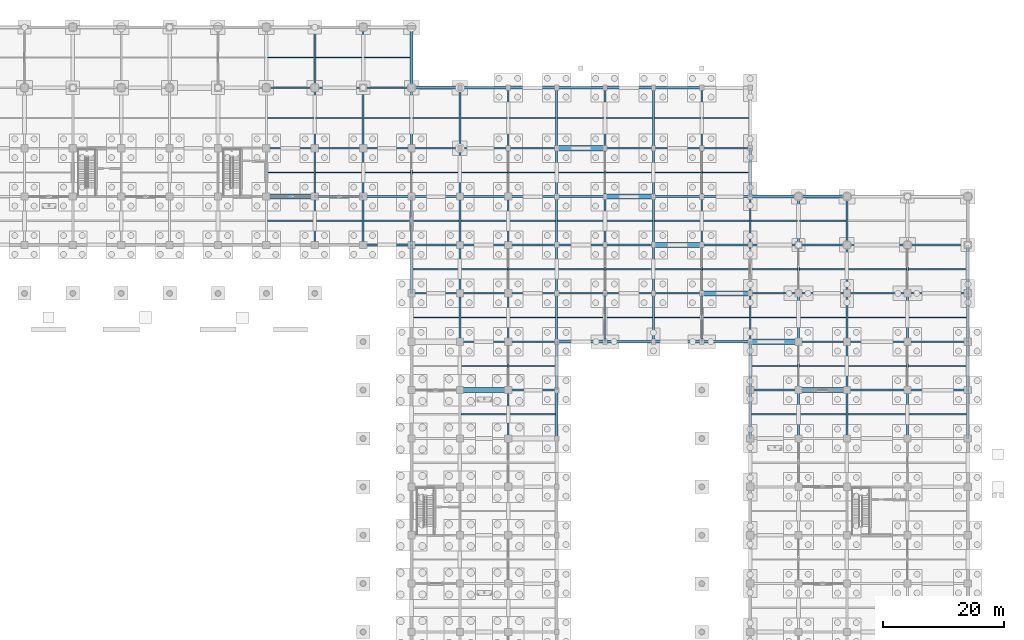
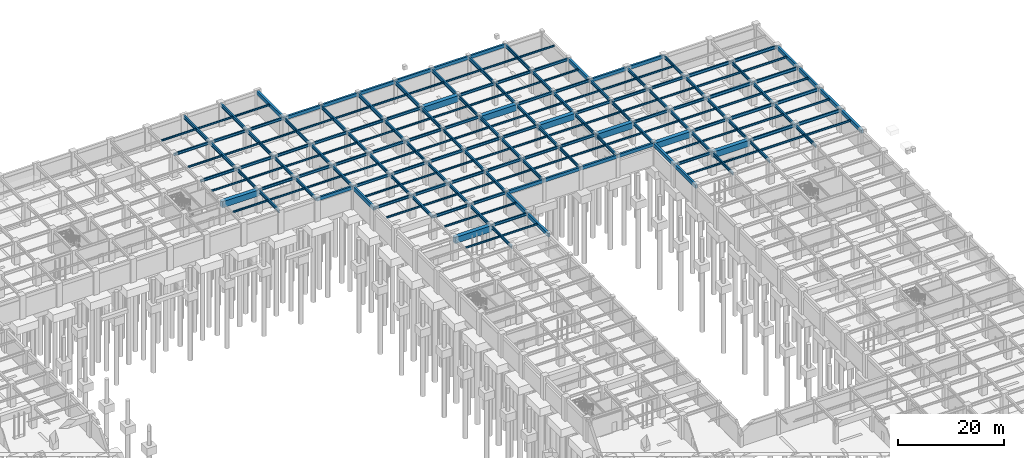
# One storey, part 64 of 97: 210 beams.
"""IFC4 building model written with IfcOpenShell, lengths in metres."""

from ifc_helpers import new_model, si_unit, direction, frame, origin, origin_2d, place, context, subcontext, project, spatial, rectangle, i_section, extrude, material, material_profile, profile_set, type_object, element, save


model = new_model("IFC4")

# Units and contexts
model_context = context("Model", 3, precision=1e-05, world=origin(), true_north=direction((0.0, 1.0)))
body_context = subcontext(model_context, "Body", "Model", "MODEL_VIEW")
ifc_project = project(units=[si_unit("LENGTHUNIT", "METRE"), si_unit("AREAUNIT", "SQUARE_METRE"), si_unit("VOLUMEUNIT", "CUBIC_METRE"), si_unit("PLANEANGLEUNIT", "RADIAN"), si_unit("MASSUNIT", "GRAM", prefix="KILO")], contexts=[model_context])

# Site, building, storey
site_placement = place(None, origin())
site = spatial("IfcSite", under=ifc_project, at=site_placement, CompositionType="ELEMENT")
building_placement = place(site_placement, origin())
building = spatial("IfcBuilding", under=site, at=building_placement, Name="Haebicheon Civic Stadium", CompositionType="ELEMENT")
storey_placement = place(building_placement, frame((0.0, 0.0, -5.39990234375)))
storey = spatial("IfcBuildingStorey", under=building, at=storey_placement, Name="B1", CompositionType="ELEMENT", Elevation=-5.39990234375)

# Beams
ifc_material_1 = material(Name="Steel SM355 (S355)", Category="steel")
ifc_material_profile_1 = material_profile(ifc_material_1, i_section(OverallWidth=0.300048828125, OverallDepth=0.60009765625, WebThickness=0.011962890625, FlangeThickness=0.02001953125, at=origin_2d()), Name="H-600x300x12x20")
ifc_profile_set_1 = profile_set([ifc_material_profile_1], Name="Steel SM355 (S355)")
beam_type_1 = type_object("IfcBeamType", Name="BM-ST-H600A", PredefinedType="BEAM", material=ifc_profile_set_1)
for number, where, z_axis, x_axis, name in (
    (1, (120.0, 168.0, 4.7998046875), (1.0, 0.0, 0.0), (0.0, 1.0, 0.0), "B1 beam X/16-17"),
    (2, (120.0, 178.0, 4.7998046875), (1.0, 0.0, 0.0), (0.0, 1.0, 0.0), "B1 beam Y/16-17"),
    (3, (128.0, 160.0, 4.7998046875), (1.0, 0.0, 0.0), (0.0, 1.0, 0.0), "B1 beam W/17-18"),
    (4, (128.0, 168.0, 4.7998046875), (1.0, 0.0, 0.0), (0.0, 1.0, 0.0), "B1 beam X/17-18"),
    (5, (128.0, 178.0, 4.7998046875), (1.0, 0.0, 0.0), (0.0, 1.0, 0.0), "B1 beam Y/17-18"),
    (6, (136.0, 160.0, 4.7998046875), (1.0, 0.0, 0.0), (0.0, 1.0, 0.0), "B1 beam W/18-19"),
    (7, (136.0, 168.0, 4.7998046875), (1.0, 0.0, 0.0), (0.0, 1.0, 0.0), "B1 beam X/18-19"),
    (8, (136.0, 178.0, 4.7998046875), (1.0, 0.0, 0.0), (0.0, 1.0, 0.0), "B1 beam Y/18-19"),
    (9, (144.0, 144.0, 4.7998046875), (1.0, 0.0, 0.0), (0.0, 1.0, 0.0), "B1 beam U/19-20"),
    (10, (144.0, 152.0, 4.7998046875), (1.0, 0.0, 0.0), (0.0, 1.0, 0.0), "B1 beam V/19-20"),
    (11, (144.0, 160.0, 4.7998046875), (1.0, 0.0, 0.0), (0.0, 1.0, 0.0), "B1 beam W/19-20"),
    (12, (144.0, 168.0, 4.7998046875), (1.0, 0.0, 0.0), (0.0, 1.0, 0.0), "B1 beam X/19-20"),
    (13, (152.0, 136.0, 4.7998046875), (1.0, 0.0, 0.0), (0.0, 1.0, 0.0), "B1 beam T/20-21"),
    (14, (152.0, 144.0, 4.7998046875), (1.0, 0.0, 0.0), (0.0, 1.0, 0.0), "B1 beam U/20-21"),
    (15, (152.0, 152.0, 4.7998046875), (1.0, 0.0, 0.0), (0.0, 1.0, 0.0), "B1 beam V/20-21"),
    (16, (152.0, 160.0, 4.7998046875), (1.0, 0.0, 0.0), (0.0, 1.0, 0.0), "B1 beam W/20-21"),
    (17, (152.0, 168.0, 4.7998046875), (1.0, 0.0, 0.0), (0.0, 1.0, 0.0), "B1 beam X/20-21"),
    (18, (160.0, 128.0, 4.7998046875), (1.0, 0.0, 0.0), (0.0, 1.0, 0.0), "B1 beam S/21-22"),
    (19, (160.0, 136.0, 4.7998046875), (1.0, 0.0, 0.0), (0.0, 1.0, 0.0), "B1 beam T/21-22"),
    (20, (160.0, 144.0, 4.7998046875), (1.0, 0.0, 0.0), (0.0, 1.0, 0.0), "B1 beam U/21-22"),
    (21, (160.0, 152.0, 4.7998046875), (1.0, 0.0, 0.0), (0.0, 1.0, 0.0), "B1 beam V/21-22"),
    (22, (160.0, 160.0, 4.7998046875), (1.0, 0.0, 0.0), (0.0, 1.0, 0.0), "B1 beam W/21-22"),
    (23, (160.0, 168.0, 4.7998046875), (1.0, 0.0, 0.0), (0.0, 1.0, 0.0), "B1 beam X/21-22"),
    (24, (168.0, 144.0, 4.7998046875), (1.0, 0.0, 0.0), (0.0, 1.0, 0.0), "B1 beam U/22-23"),
    (25, (168.0, 152.0, 4.7998046875), (1.0, 0.0, 0.0), (0.0, 1.0, 0.0), "B1 beam V/22-23"),
    (26, (168.0, 160.0, 4.7998046875), (1.0, 0.0, 0.0), (0.0, 1.0, 0.0), "B1 beam W/22-23"),
    (27, (176.0, 144.0, 4.7998046875), (1.0, 0.0, 0.0), (0.0, 1.0, 0.0), "B1 beam U/23-24"),
    (28, (176.0, 152.0, 4.7998046875), (1.0, 0.0, 0.0), (0.0, 1.0, 0.0), "B1 beam V/23-24"),
    (29, (176.0, 168.0, 4.7998046875), (1.0, 0.0, 0.0), (0.0, 1.0, 0.0), "B1 beam X/23-24"),
    (30, (184.0, 144.0, 4.7998046875), (1.0, 0.0, 0.0), (0.0, 1.0, 0.0), "B1 beam U/24-25"),
    (31, (184.0, 160.0, 4.7998046875), (1.0, 0.0, 0.0), (0.0, 1.0, 0.0), "B1 beam W/24-25"),
    (32, (184.0, 168.0, 4.7998046875), (1.0, 0.0, 0.0), (0.0, 1.0, 0.0), "B1 beam X/24-25"),
    (33, (192.0, 152.0, 4.7998046875), (1.0, 0.0, 0.0), (0.0, 1.0, 0.0), "B1 beam V/25-26"),
    (34, (192.0, 160.0, 4.7998046875), (1.0, 0.0, 0.0), (0.0, 1.0, 0.0), "B1 beam W/25-26"),
    (35, (192.0, 168.0, 4.7998046875), (1.0, 0.0, 0.0), (0.0, 1.0, 0.0), "B1 beam X/25-26"),
    (36, (200.0, 128.0, 4.7998046875), (1.0, 0.0, 0.0), (0.0, 1.0, 0.0), "B1 beam S/26-27"),
    (37, (200.0, 144.0, 4.7998046875), (1.0, 0.0, 0.0), (0.0, 1.0, 0.0), "B1 beam U/26-27"),
    (38, (200.0, 152.0, 4.7998046875), (1.0, 0.0, 0.0), (0.0, 1.0, 0.0), "B1 beam V/26-27"),
    (39, (208.0, 136.0, 4.7998046875), (1.0, 0.0, 0.0), (0.0, 1.0, 0.0), "B1 beam T/27-28"),
    (40, (208.0, 144.0, 4.7998046875), (1.0, 0.0, 0.0), (0.0, 1.0, 0.0), "B1 beam U/27-28"),
    (41, (208.0, 152.0, 4.7998046875), (1.0, 0.0, 0.0), (0.0, 1.0, 0.0), "B1 beam V/27-28"),
):
    element("IfcBeam", number, at=place(storey_placement, frame(where, z_axis=z_axis, x_axis=x_axis)), inside=storey, type_object=beam_type_1, material=ifc_profile_set_1, Name=name, PredefinedType="BEAM", context=body_context, shape_type="SweptSolid", body=[
        extrude(i_section(OverallWidth=0.300048828125, OverallDepth=0.60009765625, WebThickness=0.011962890625, FlangeThickness=0.02001953125, at=origin_2d()), origin(), (0.0, 0.0, 1.0), 8.0),
    ])
ifc_material_2 = material(Name="Steel SM490", Category="steel")
ifc_material_profile_2 = material_profile(ifc_material_2, i_section(OverallWidth=0.300048828125, OverallDepth=0.699951171875, WebThickness=0.012939453125, FlangeThickness=0.02392578125, at=origin_2d()), Name="H-700x300x13x24")
ifc_profile_set_2 = profile_set([ifc_material_profile_2], Name="Steel SM490")
beam_type_2 = type_object("IfcBeamType", Name="BM-ST-H700", PredefinedType="BEAM", material=ifc_profile_set_2)
for number, where, z_axis, x_axis, name in (
    (42, (128.0, 152.0, 4.75), (0.0, 1.0, 0.0), (-1.0, 0.0, 0.0), "B1 girder 17/V-W"),
    (43, (128.0, 160.0, 4.75), (0.0, 1.0, 0.0), (-1.0, 0.0, 0.0), "B1 girder 17/W-X"),
    (44, (136.0, 152.0, 4.75), (0.0, 1.0, 0.0), (-1.0, 0.0, 0.0), "B1 girder 18/V-W"),
    (45, (136.0, 160.0, 4.75), (0.0, 1.0, 0.0), (-1.0, 0.0, 0.0), "B1 girder 18/W-X"),
    (46, (144.0, 152.0, 4.75), (0.0, 1.0, 0.0), (-1.0, 0.0, 0.0), "B1 girder 19/V-W"),
    (47, (144.0, 160.0, 4.75), (0.0, 1.0, 0.0), (-1.0, 0.0, 0.0), "B1 girder 19/W-X"),
    (48, (152.0, 136.0, 4.75), (0.0, 1.0, 0.0), (-1.0, 0.0, 0.0), "B1 girder 20/T-U"),
    (49, (152.0, 144.0, 4.75), (0.0, 1.0, 0.0), (-1.0, 0.0, 0.0), "B1 girder 20/U-V"),
    (50, (152.0, 152.0, 4.75), (0.0, 1.0, 0.0), (-1.0, 0.0, 0.0), "B1 girder 20/V-W"),
    (51, (152.0, 160.0, 4.75), (0.0, 1.0, 0.0), (-1.0, 0.0, 0.0), "B1 girder 20/W-X"),
    (52, (160.0, 120.0, 4.75), (0.0, 1.0, 0.0), (-1.0, 0.0, 0.0), "B1 girder 21/R-S"),
    (53, (160.0, 128.0, 4.75), (0.0, 1.0, 0.0), (-1.0, 0.0, 0.0), "B1 girder 21/S-T"),
    (54, (160.0, 136.0, 4.75), (0.0, 1.0, 0.0), (-1.0, 0.0, 0.0), "B1 girder 21/T-U"),
    (55, (160.0, 144.0, 4.75), (0.0, 1.0, 0.0), (-1.0, 0.0, 0.0), "B1 girder 21/U-V"),
    (56, (160.0, 152.0, 4.75), (0.0, 1.0, 0.0), (-1.0, 0.0, 0.0), "B1 girder 21/V-W"),
    (57, (160.0, 160.0, 4.75), (0.0, 1.0, 0.0), (-1.0, 0.0, 0.0), "B1 girder 21/W-X"),
    (58, (168.0, 136.0, 4.75), (0.0, 1.0, 0.0), (-1.0, 0.0, 0.0), "B1 girder 22/T-U"),
    (59, (168.0, 144.0, 4.75), (0.0, 1.0, 0.0), (-1.0, 0.0, 0.0), "B1 girder 22/U-V"),
    (60, (168.0, 152.0, 4.75), (0.0, 1.0, 0.0), (-1.0, 0.0, 0.0), "B1 girder 22/V-W"),
    (61, (168.0, 160.0, 4.75), (0.0, 1.0, 0.0), (-1.0, 0.0, 0.0), "B1 girder 22/W-X"),
    (62, (176.0, 136.0, 4.75), (0.0, 1.0, 0.0), (-1.0, 0.0, 0.0), "B1 girder 23/T-U"),
    (63, (176.0, 144.0, 4.75), (0.0, 1.0, 0.0), (-1.0, 0.0, 0.0), "B1 girder 23/U-V"),
    (64, (176.0, 152.0, 4.75), (0.0, 1.0, 0.0), (-1.0, 0.0, 0.0), "B1 girder 23/V-W"),
    (65, (176.0, 160.0, 4.75), (0.0, 1.0, 0.0), (-1.0, 0.0, 0.0), "B1 girder 23/W-X"),
    (66, (184.0, 136.0, 4.75), (0.0, 1.0, 0.0), (-1.0, 0.0, 0.0), "B1 girder 24/T-U"),
    (67, (184.0, 144.0, 4.75), (0.0, 1.0, 0.0), (-1.0, 0.0, 0.0), "B1 girder 24/U-V"),
    (68, (184.0, 152.0, 4.75), (0.0, 1.0, 0.0), (-1.0, 0.0, 0.0), "B1 girder 24/V-W"),
    (69, (184.0, 160.0, 4.75), (0.0, 1.0, 0.0), (-1.0, 0.0, 0.0), "B1 girder 24/W-X"),
    (70, (192.0, 136.0, 4.75), (0.0, 1.0, 0.0), (-1.0, 0.0, 0.0), "B1 girder 25/T-U"),
    (71, (192.0, 144.0, 4.75), (0.0, 1.0, 0.0), (-1.0, 0.0, 0.0), "B1 girder 25/U-V"),
    (72, (192.0, 152.0, 4.75), (0.0, 1.0, 0.0), (-1.0, 0.0, 0.0), "B1 girder 25/V-W"),
    (73, (192.0, 160.0, 4.75), (0.0, 1.0, 0.0), (-1.0, 0.0, 0.0), "B1 girder 25/W-X"),
    (74, (200.0, 136.0, 4.75), (0.0, 1.0, 0.0), (-1.0, 0.0, 0.0), "B1 girder 26/T-U"),
    (75, (200.0, 144.0, 4.75), (0.0, 1.0, 0.0), (-1.0, 0.0, 0.0), "B1 girder 26/U-V"),
    (76, (200.0, 152.0, 4.75), (0.0, 1.0, 0.0), (-1.0, 0.0, 0.0), "B1 girder 26/V-W"),
    (77, (208.0, 120.0, 4.75), (0.0, 1.0, 0.0), (-1.0, 0.0, 0.0), "B1 girder 27/R-S"),
    (78, (208.0, 128.0, 4.75), (0.0, 1.0, 0.0), (-1.0, 0.0, 0.0), "B1 girder 27/S-T"),
    (79, (208.0, 136.0, 4.75), (0.0, 1.0, 0.0), (-1.0, 0.0, 0.0), "B1 girder 27/T-U"),
    (80, (208.0, 144.0, 4.75), (0.0, 1.0, 0.0), (-1.0, 0.0, 0.0), "B1 girder 27/U-V"),
    (81, (208.0, 152.0, 4.75), (0.0, 1.0, 0.0), (-1.0, 0.0, 0.0), "B1 girder 27/V-W"),
    (82, (216.0, 120.0, 4.75), (0.0, 1.0, 0.0), (-1.0, 0.0, 0.0), "B1 girder 28/R-S"),
    (83, (216.0, 128.0, 4.75), (0.0, 1.0, 0.0), (-1.0, 0.0, 0.0), "B1 girder 28/S-T"),
    (84, (216.0, 136.0, 4.75), (0.0, 1.0, 0.0), (-1.0, 0.0, 0.0), "B1 girder 28/T-U"),
    (85, (216.0, 144.0, 4.75), (0.0, 1.0, 0.0), (-1.0, 0.0, 0.0), "B1 girder 28/U-V"),
    (86, (216.0, 152.0, 4.75), (0.0, 1.0, 0.0), (-1.0, 0.0, 0.0), "B1 girder 28/V-W"),
    (87, (226.0, 120.0, 4.75), (0.0, 1.0, 0.0), (-1.0, 0.0, 0.0), "B1 girder 29/R-S"),
    (88, (226.0, 128.0, 4.75), (0.0, 1.0, 0.0), (-1.0, 0.0, 0.0), "B1 girder 29/S-T"),
    (89, (226.0, 136.0, 4.75), (0.0, 1.0, 0.0), (-1.0, 0.0, 0.0), "B1 girder 29/T-U"),
    (90, (226.0, 144.0, 4.75), (0.0, 1.0, 0.0), (-1.0, 0.0, 0.0), "B1 girder 29/U-V"),
):
    element("IfcBeam", number, at=place(storey_placement, frame(where, z_axis=z_axis, x_axis=x_axis)), inside=storey, type_object=beam_type_2, material=ifc_profile_set_2, Name=name, PredefinedType="BEAM", context=body_context, shape_type="SweptSolid", body=[
        extrude(i_section(OverallWidth=0.300048828125, OverallDepth=0.699951171875, WebThickness=0.012939453125, FlangeThickness=0.02392578125, at=origin_2d()), origin(), (0.0, 0.0, 1.0), 8.0),
    ])
for number, where, z_axis, x_axis, name in (
    (91, (216.0, 128.0, 4.75), (1.0, 0.0, 0.0), (0.0, 1.0, 0.0), "B1 beam S/28-29"),
    (92, (216.0, 136.0, 4.75), (1.0, 0.0, 0.0), (0.0, 1.0, 0.0), "B1 beam T/28-29"),
    (93, (216.0, 144.0, 4.75), (1.0, 0.0, 0.0), (0.0, 1.0, 0.0), "B1 beam U/28-29"),
    (94, (216.0, 152.0, 4.75), (1.0, 0.0, 0.0), (0.0, 1.0, 0.0), "B1 beam V/28-29"),
    (95, (226.0, 128.0, 4.75), (1.0, 0.0, 0.0), (0.0, 1.0, 0.0), "B1 beam S/29-30"),
    (96, (226.0, 136.0, 4.75), (1.0, 0.0, 0.0), (0.0, 1.0, 0.0), "B1 beam T/29-30"),
    (97, (226.0, 144.0, 4.75), (1.0, 0.0, 0.0), (0.0, 1.0, 0.0), "B1 beam U/29-30"),
    (98, (226.0, 152.0, 4.75), (1.0, 0.0, 0.0), (0.0, 1.0, 0.0), "B1 beam V/29-30"),
):
    element("IfcBeam", number, at=place(storey_placement, frame(where, z_axis=z_axis, x_axis=x_axis)), inside=storey, type_object=beam_type_2, material=ifc_profile_set_2, Name=name, PredefinedType="BEAM", context=body_context, shape_type="SweptSolid", body=[
        extrude(i_section(OverallWidth=0.300048828125, OverallDepth=0.699951171875, WebThickness=0.012939453125, FlangeThickness=0.02392578125, at=origin_2d()), origin(), (0.0, 0.0, 1.0), 10.0),
    ])
ifc_material_3 = material(Name="Steel SM490", Category="steel")
ifc_material_profile_3 = material_profile(ifc_material_3, i_section(OverallWidth=0.300048828125, OverallDepth=0.800048828125, WebThickness=0.013916015625, FlangeThickness=0.02587890625, at=origin_2d()), Name="H-800x300x14x26")
ifc_profile_set_3 = profile_set([ifc_material_profile_3], Name="Steel SM490")
beam_type_3 = type_object("IfcBeamType", Name="BM-ST-H800", PredefinedType="BEAM", material=ifc_profile_set_3)
for number, where, z_axis, x_axis, name in (
    (99, (128.0, 168.0, 4.699951171875), (0.0, 1.0, 0.0), (-1.0, 0.0, 0.0), "B1 girder 17/X-Y"),
    (100, (128.0, 178.0, 4.699951171875), (0.0, 1.0, 0.0), (-1.0, 0.0, 0.0), "B1 girder 17/Y-Z"),
    (101, (136.0, 168.0, 4.699951171875), (0.0, 1.0, 0.0), (-1.0, 0.0, 0.0), "B1 girder 18/X-Y"),
    (102, (136.0, 178.0, 4.699951171875), (0.0, 1.0, 0.0), (-1.0, 0.0, 0.0), "B1 girder 18/Y-Z"),
    (103, (144.0, 168.0, 4.699951171875), (0.0, 1.0, 0.0), (-1.0, 0.0, 0.0), "B1 girder 19/X-Y"),
    (104, (152.0, 168.0, 4.699951171875), (0.0, 1.0, 0.0), (-1.0, 0.0, 0.0), "B1 girder 20/X-Y"),
    (105, (160.0, 168.0, 4.699951171875), (0.0, 1.0, 0.0), (-1.0, 0.0, 0.0), "B1 girder 21/X-Y"),
    (106, (168.0, 168.0, 4.699951171875), (0.0, 1.0, 0.0), (-1.0, 0.0, 0.0), "B1 girder 22/X-Y"),
    (107, (176.0, 168.0, 4.699951171875), (0.0, 1.0, 0.0), (-1.0, 0.0, 0.0), "B1 girder 23/X-Y"),
    (108, (184.0, 168.0, 4.699951171875), (0.0, 1.0, 0.0), (-1.0, 0.0, 0.0), "B1 girder 24/X-Y"),
    (109, (192.0, 168.0, 4.699951171875), (0.0, 1.0, 0.0), (-1.0, 0.0, 0.0), "B1 girder 25/X-Y"),
):
    element("IfcBeam", number, at=place(storey_placement, frame(where, z_axis=z_axis, x_axis=x_axis)), inside=storey, type_object=beam_type_3, material=ifc_profile_set_3, Name=name, PredefinedType="BEAM", context=body_context, shape_type="SweptSolid", body=[
        extrude(i_section(OverallWidth=0.300048828125, OverallDepth=0.800048828125, WebThickness=0.013916015625, FlangeThickness=0.02587890625, at=origin_2d()), origin(), (0.0, 0.0, 1.0), 10.0),
    ])
ifc_material_4 = material(Name="Concrete C40/50", Category="concrete")
ifc_material_profile_4 = material_profile(ifc_material_4, rectangle(XDim=0.85009765625, YDim=1.39990234375, at=origin_2d()), Name="RC-TG-850x1400")
ifc_profile_set_4 = profile_set([ifc_material_profile_4], Name="Concrete C40/50")
beam_type_4 = type_object("IfcBeamType", Name="BM-TG-850x1400", PredefinedType="BEAM", material=ifc_profile_set_4)
for number, where, z_axis, x_axis, name in (
    (110, (120.0, 160.0, 4.39990234375), (1.0, 0.0, 0.0), (0.0, 1.0, 0.0), "B1 beam W/16-17"),
    (111, (152.0, 128.0, 4.39990234375), (1.0, 0.0, 0.0), (0.0, 1.0, 0.0), "B1 beam S/20-21"),
    (112, (168.0, 168.0, 4.39990234375), (1.0, 0.0, 0.0), (0.0, 1.0, 0.0), "B1 beam X/22-23"),
    (113, (176.0, 160.0, 4.39990234375), (1.0, 0.0, 0.0), (0.0, 1.0, 0.0), "B1 beam W/23-24"),
    (114, (184.0, 152.0, 4.39990234375), (1.0, 0.0, 0.0), (0.0, 1.0, 0.0), "B1 beam V/24-25"),
    (115, (192.0, 144.0, 4.39990234375), (1.0, 0.0, 0.0), (0.0, 1.0, 0.0), "B1 beam U/25-26"),
    (116, (200.0, 136.0, 4.39990234375), (1.0, 0.0, 0.0), (0.0, 1.0, 0.0), "B1 beam T/26-27"),
    (117, (208.0, 128.0, 4.39990234375), (1.0, 0.0, 0.0), (0.0, 1.0, 0.0), "B1 beam S/27-28"),
):
    element("IfcBeam", number, at=place(storey_placement, frame(where, z_axis=z_axis, x_axis=x_axis)), inside=storey, type_object=beam_type_4, material=ifc_profile_set_4, Name=name, PredefinedType="BEAM", context=body_context, shape_type="SweptSolid", body=[
        extrude(rectangle(XDim=0.85009765625, YDim=1.39990234375, at=origin_2d()), origin(), (0.0, 0.0, 1.0), 8.0),
    ])
ifc_material_5 = material(Name="Steel SM355 (S355)", Category="steel")
ifc_material_profile_5 = material_profile(ifc_material_5, i_section(OverallWidth=0.199951171875, OverallDepth=0.39990234375, WebThickness=0.008056640625, FlangeThickness=0.012939453125, at=origin_2d()), Name="H-400x200x8x13")
ifc_profile_set_5 = profile_set([ifc_material_profile_5], Name="Steel SM355 (S355)")
beam_type_5 = type_object("IfcBeamType", Name="JST-ST-H400", PredefinedType="JOIST", material=ifc_profile_set_5)
for number, where, z_axis, x_axis, name in (
    (118, (120.14990234375, 156.0, 4.89990234375), (1.0, 0.0, 0.0), (0.0, 1.0, 0.0), "B1 secondary joist 15-19"),
    (119, (120.14990234375, 164.0, 4.89990234375), (1.0, 0.0, 0.0), (0.0, 1.0, 0.0), "B1 secondary joist 15-20"),
    (120, (120.14990234375, 173.0, 4.89990234375), (1.0, 0.0, 0.0), (0.0, 1.0, 0.0), "B1 secondary joist 15-21"),
    (121, (120.14990234375, 183.0, 4.89990234375), (1.0, 0.0, 0.0), (0.0, 1.0, 0.0), "B1 secondary joist 15-22"),
    (122, (128.14990234375, 156.0, 4.89990234375), (1.0, 0.0, 0.0), (0.0, 1.0, 0.0), "B1 secondary joist 16-19"),
    (123, (128.14990234375, 164.0, 4.89990234375), (1.0, 0.0, 0.0), (0.0, 1.0, 0.0), "B1 secondary joist 16-20"),
    (124, (128.14990234375, 173.0, 4.89990234375), (1.0, 0.0, 0.0), (0.0, 1.0, 0.0), "B1 secondary joist 16-21"),
    (125, (128.14990234375, 183.0, 4.89990234375), (1.0, 0.0, 0.0), (0.0, 1.0, 0.0), "B1 secondary joist 16-22"),
    (126, (136.14990234375, 156.0, 4.89990234375), (1.0, 0.0, 0.0), (0.0, 1.0, 0.0), "B1 secondary joist 17-19"),
    (127, (136.14990234375, 164.0, 4.89990234375), (1.0, 0.0, 0.0), (0.0, 1.0, 0.0), "B1 secondary joist 17-20"),
    (128, (136.14990234375, 173.0, 4.89990234375), (1.0, 0.0, 0.0), (0.0, 1.0, 0.0), "B1 secondary joist 17-21"),
):
    element("IfcBeam", number, at=place(storey_placement, frame(where, z_axis=z_axis, x_axis=x_axis)), inside=storey, type_object=beam_type_5, material=ifc_profile_set_5, Name=name, PredefinedType="JOIST", context=body_context, shape_type="SweptSolid", body=[
        extrude(i_section(OverallWidth=0.199951171875, OverallDepth=0.39990234375, WebThickness=0.008056640625, FlangeThickness=0.012939453125, at=origin_2d()), origin(), (0.0, 0.0, 1.0), 7.7001953125),
    ])
for number, where, z_axis, x_axis, name in (
    (129, (136.14990234375, 183.0, 4.89990234375), (1.0, 0.0, 0.0), (0.0, 1.0, 0.0), "B1 secondary joist 17-22"),
    (130, (144.22509765625, 140.0, 4.89990234375), (1.0, 0.0, 0.0), (0.0, 1.0, 0.0), "B1 secondary joist 18-17"),
    (131, (144.22509765625, 148.0, 4.89990234375), (1.0, 0.0, 0.0), (0.0, 1.0, 0.0), "B1 secondary joist 18-18"),
):
    element("IfcBeam", number, at=place(storey_placement, frame(where, z_axis=z_axis, x_axis=x_axis)), inside=storey, type_object=beam_type_5, material=ifc_profile_set_5, Name=name, PredefinedType="JOIST", context=body_context, shape_type="SweptSolid", body=[
        extrude(i_section(OverallWidth=0.199951171875, OverallDepth=0.39990234375, WebThickness=0.008056640625, FlangeThickness=0.012939453125, at=origin_2d()), origin(), (0.0, 0.0, 1.0), 7.625),
    ])
for number, where, z_axis, x_axis, name in (
    (132, (144.14990234375, 156.0, 4.89990234375), (1.0, 0.0, 0.0), (0.0, 1.0, 0.0), "B1 secondary joist 18-19"),
    (133, (144.14990234375, 164.0, 4.89990234375), (1.0, 0.0, 0.0), (0.0, 1.0, 0.0), "B1 secondary joist 18-20"),
    (134, (144.14990234375, 173.0, 4.89990234375), (1.0, 0.0, 0.0), (0.0, 1.0, 0.0), "B1 secondary joist 18-21"),
    (135, (152.14990234375, 124.0, 4.89990234375), (1.0, 0.0, 0.0), (0.0, 1.0, 0.0), "B1 secondary joist 19-15"),
    (136, (152.14990234375, 132.0, 4.89990234375), (1.0, 0.0, 0.0), (0.0, 1.0, 0.0), "B1 secondary joist 19-16"),
    (137, (152.14990234375, 140.0, 4.89990234375), (1.0, 0.0, 0.0), (0.0, 1.0, 0.0), "B1 secondary joist 19-17"),
    (138, (152.14990234375, 148.0, 4.89990234375), (1.0, 0.0, 0.0), (0.0, 1.0, 0.0), "B1 secondary joist 19-18"),
    (139, (152.14990234375, 156.0, 4.89990234375), (1.0, 0.0, 0.0), (0.0, 1.0, 0.0), "B1 secondary joist 19-19"),
    (140, (152.14990234375, 164.0, 4.89990234375), (1.0, 0.0, 0.0), (0.0, 1.0, 0.0), "B1 secondary joist 19-20"),
    (141, (152.14990234375, 173.0, 4.89990234375), (1.0, 0.0, 0.0), (0.0, 1.0, 0.0), "B1 secondary joist 19-21"),
):
    element("IfcBeam", number, at=place(storey_placement, frame(where, z_axis=z_axis, x_axis=x_axis)), inside=storey, type_object=beam_type_5, material=ifc_profile_set_5, Name=name, PredefinedType="JOIST", context=body_context, shape_type="SweptSolid", body=[
        extrude(i_section(OverallWidth=0.199951171875, OverallDepth=0.39990234375, WebThickness=0.008056640625, FlangeThickness=0.012939453125, at=origin_2d()), origin(), (0.0, 0.0, 1.0), 7.7001953125),
    ])
for number, where, z_axis, x_axis, name in (
    (142, (160.14990234375, 124.0, 4.89990234375), (1.0, 0.0, 0.0), (0.0, 1.0, 0.0), "B1 secondary joist 20-15"),
    (143, (160.14990234375, 132.0, 4.89990234375), (1.0, 0.0, 0.0), (0.0, 1.0, 0.0), "B1 secondary joist 20-16"),
):
    element("IfcBeam", number, at=place(storey_placement, frame(where, z_axis=z_axis, x_axis=x_axis)), inside=storey, type_object=beam_type_5, material=ifc_profile_set_5, Name=name, PredefinedType="JOIST", context=body_context, shape_type="SweptSolid", body=[
        extrude(i_section(OverallWidth=0.199951171875, OverallDepth=0.39990234375, WebThickness=0.008056640625, FlangeThickness=0.012939453125, at=origin_2d()), origin(), (0.0, 0.0, 1.0), 7.625),
    ])
for number, where, z_axis, x_axis, name in (
    (144, (160.14990234375, 140.0, 4.89990234375), (1.0, 0.0, 0.0), (0.0, 1.0, 0.0), "B1 secondary joist 20-17"),
    (145, (160.14990234375, 148.0, 4.89990234375), (1.0, 0.0, 0.0), (0.0, 1.0, 0.0), "B1 secondary joist 20-18"),
    (146, (160.14990234375, 156.0, 4.89990234375), (1.0, 0.0, 0.0), (0.0, 1.0, 0.0), "B1 secondary joist 20-19"),
    (147, (160.14990234375, 164.0, 4.89990234375), (1.0, 0.0, 0.0), (0.0, 1.0, 0.0), "B1 secondary joist 20-20"),
    (148, (160.14990234375, 173.0, 4.89990234375), (1.0, 0.0, 0.0), (0.0, 1.0, 0.0), "B1 secondary joist 20-21"),
    (149, (168.14990234375, 140.0, 4.89990234375), (1.0, 0.0, 0.0), (0.0, 1.0, 0.0), "B1 secondary joist 21-17"),
    (150, (168.14990234375, 148.0, 4.89990234375), (1.0, 0.0, 0.0), (0.0, 1.0, 0.0), "B1 secondary joist 21-18"),
    (151, (168.14990234375, 156.0, 4.89990234375), (1.0, 0.0, 0.0), (0.0, 1.0, 0.0), "B1 secondary joist 21-19"),
    (152, (168.14990234375, 164.0, 4.89990234375), (1.0, 0.0, 0.0), (0.0, 1.0, 0.0), "B1 secondary joist 21-20"),
    (153, (168.14990234375, 173.0, 4.89990234375), (1.0, 0.0, 0.0), (0.0, 1.0, 0.0), "B1 secondary joist 21-21"),
    (154, (176.14990234375, 140.0, 4.89990234375), (1.0, 0.0, 0.0), (0.0, 1.0, 0.0), "B1 secondary joist 22-17"),
    (155, (176.14990234375, 148.0, 4.89990234375), (1.0, 0.0, 0.0), (0.0, 1.0, 0.0), "B1 secondary joist 22-18"),
    (156, (176.14990234375, 156.0, 4.89990234375), (1.0, 0.0, 0.0), (0.0, 1.0, 0.0), "B1 secondary joist 22-19"),
    (157, (176.14990234375, 164.0, 4.89990234375), (1.0, 0.0, 0.0), (0.0, 1.0, 0.0), "B1 secondary joist 22-20"),
    (158, (176.14990234375, 173.0, 4.89990234375), (1.0, 0.0, 0.0), (0.0, 1.0, 0.0), "B1 secondary joist 22-21"),
    (159, (184.14990234375, 140.0, 4.89990234375), (1.0, 0.0, 0.0), (0.0, 1.0, 0.0), "B1 secondary joist 23-17"),
    (160, (184.14990234375, 148.0, 4.89990234375), (1.0, 0.0, 0.0), (0.0, 1.0, 0.0), "B1 secondary joist 23-18"),
    (161, (184.14990234375, 156.0, 4.89990234375), (1.0, 0.0, 0.0), (0.0, 1.0, 0.0), "B1 secondary joist 23-19"),
    (162, (184.14990234375, 164.0, 4.89990234375), (1.0, 0.0, 0.0), (0.0, 1.0, 0.0), "B1 secondary joist 23-20"),
    (163, (184.14990234375, 173.0, 4.89990234375), (1.0, 0.0, 0.0), (0.0, 1.0, 0.0), "B1 secondary joist 23-21"),
    (164, (192.14990234375, 140.0, 4.89990234375), (1.0, 0.0, 0.0), (0.0, 1.0, 0.0), "B1 secondary joist 24-17"),
    (165, (192.14990234375, 148.0, 4.89990234375), (1.0, 0.0, 0.0), (0.0, 1.0, 0.0), "B1 secondary joist 24-18"),
    (166, (192.14990234375, 156.0, 4.89990234375), (1.0, 0.0, 0.0), (0.0, 1.0, 0.0), "B1 secondary joist 24-19"),
):
    element("IfcBeam", number, at=place(storey_placement, frame(where, z_axis=z_axis, x_axis=x_axis)), inside=storey, type_object=beam_type_5, material=ifc_profile_set_5, Name=name, PredefinedType="JOIST", context=body_context, shape_type="SweptSolid", body=[
        extrude(i_section(OverallWidth=0.199951171875, OverallDepth=0.39990234375, WebThickness=0.008056640625, FlangeThickness=0.012939453125, at=origin_2d()), origin(), (0.0, 0.0, 1.0), 7.7001953125),
    ])
for number, where, z_axis, x_axis, name in (
    (167, (192.14990234375, 164.0, 4.89990234375), (1.0, 0.0, 0.0), (0.0, 1.0, 0.0), "B1 secondary joist 24-20"),
    (168, (192.14990234375, 173.0, 4.89990234375), (1.0, 0.0, 0.0), (0.0, 1.0, 0.0), "B1 secondary joist 24-21"),
    (169, (200.22509765625, 124.0, 4.89990234375), (1.0, 0.0, 0.0), (0.0, 1.0, 0.0), "B1 secondary joist 25-15"),
    (170, (200.22509765625, 132.0, 4.89990234375), (1.0, 0.0, 0.0), (0.0, 1.0, 0.0), "B1 secondary joist 25-16"),
):
    element("IfcBeam", number, at=place(storey_placement, frame(where, z_axis=z_axis, x_axis=x_axis)), inside=storey, type_object=beam_type_5, material=ifc_profile_set_5, Name=name, PredefinedType="JOIST", context=body_context, shape_type="SweptSolid", body=[
        extrude(i_section(OverallWidth=0.199951171875, OverallDepth=0.39990234375, WebThickness=0.008056640625, FlangeThickness=0.012939453125, at=origin_2d()), origin(), (0.0, 0.0, 1.0), 7.625),
    ])
for number, where, z_axis, x_axis, name in (
    (171, (200.14990234375, 140.0, 4.89990234375), (1.0, 0.0, 0.0), (0.0, 1.0, 0.0), "B1 secondary joist 25-17"),
    (172, (200.14990234375, 148.0, 4.89990234375), (1.0, 0.0, 0.0), (0.0, 1.0, 0.0), "B1 secondary joist 25-18"),
    (173, (200.14990234375, 156.0, 4.89990234375), (1.0, 0.0, 0.0), (0.0, 1.0, 0.0), "B1 secondary joist 25-19"),
    (174, (208.14990234375, 124.0, 4.89990234375), (1.0, 0.0, 0.0), (0.0, 1.0, 0.0), "B1 secondary joist 26-15"),
    (175, (208.14990234375, 132.0, 4.89990234375), (1.0, 0.0, 0.0), (0.0, 1.0, 0.0), "B1 secondary joist 26-16"),
    (176, (208.14990234375, 140.0, 4.89990234375), (1.0, 0.0, 0.0), (0.0, 1.0, 0.0), "B1 secondary joist 26-17"),
    (177, (208.14990234375, 148.0, 4.89990234375), (1.0, 0.0, 0.0), (0.0, 1.0, 0.0), "B1 secondary joist 26-18"),
    (178, (208.14990234375, 156.0, 4.89990234375), (1.0, 0.0, 0.0), (0.0, 1.0, 0.0), "B1 secondary joist 26-19"),
):
    element("IfcBeam", number, at=place(storey_placement, frame(where, z_axis=z_axis, x_axis=x_axis)), inside=storey, type_object=beam_type_5, material=ifc_profile_set_5, Name=name, PredefinedType="JOIST", context=body_context, shape_type="SweptSolid", body=[
        extrude(i_section(OverallWidth=0.199951171875, OverallDepth=0.39990234375, WebThickness=0.008056640625, FlangeThickness=0.012939453125, at=origin_2d()), origin(), (0.0, 0.0, 1.0), 7.7001953125),
    ])
ifc_material_6 = material(Name="Steel SM355 (S355)", Category="steel")
ifc_material_profile_6 = material_profile(ifc_material_6, i_section(OverallWidth=0.199951171875, OverallDepth=0.449951171875, WebThickness=0.009033203125, FlangeThickness=0.013916015625, at=origin_2d()), Name="H-450x200x9x14")
ifc_profile_set_6 = profile_set([ifc_material_profile_6], Name="Steel SM355 (S355)")
beam_type_6 = type_object("IfcBeamType", Name="JST-ST-H450", PredefinedType="JOIST", material=ifc_profile_set_6)
for number, where, z_axis, x_axis, name in (
    (179, (216.14990234375, 124.0, 4.875), (1.0, 0.0, 0.0), (0.0, 1.0, 0.0), "B1 secondary joist 27-15"),
    (180, (216.14990234375, 132.0, 4.875), (1.0, 0.0, 0.0), (0.0, 1.0, 0.0), "B1 secondary joist 27-16"),
    (181, (216.14990234375, 140.0, 4.875), (1.0, 0.0, 0.0), (0.0, 1.0, 0.0), "B1 secondary joist 27-17"),
    (182, (216.14990234375, 148.0, 4.875), (1.0, 0.0, 0.0), (0.0, 1.0, 0.0), "B1 secondary joist 27-18"),
):
    element("IfcBeam", number, at=place(storey_placement, frame(where, z_axis=z_axis, x_axis=x_axis)), inside=storey, type_object=beam_type_6, material=ifc_profile_set_6, Name=name, PredefinedType="JOIST", context=body_context, shape_type="SweptSolid", body=[
        extrude(i_section(OverallWidth=0.199951171875, OverallDepth=0.449951171875, WebThickness=0.009033203125, FlangeThickness=0.013916015625, at=origin_2d()), origin(), (0.0, 0.0, 1.0), 9.7001953125),
    ])
for number, where, z_axis, x_axis, name in (
    (183, (226.14990234375, 124.0, 4.875), (1.0, 0.0, 0.0), (0.0, 1.0, 0.0), "B1 secondary joist 28-15"),
    (184, (226.14990234375, 132.0, 4.875), (1.0, 0.0, 0.0), (0.0, 1.0, 0.0), "B1 secondary joist 28-16"),
    (185, (226.14990234375, 140.0, 4.875), (1.0, 0.0, 0.0), (0.0, 1.0, 0.0), "B1 secondary joist 28-17"),
    (186, (226.14990234375, 148.0, 4.875), (1.0, 0.0, 0.0), (0.0, 1.0, 0.0), "B1 secondary joist 28-18"),
):
    element("IfcBeam", number, at=place(storey_placement, frame(where, z_axis=z_axis, x_axis=x_axis)), inside=storey, type_object=beam_type_6, material=ifc_profile_set_6, Name=name, PredefinedType="JOIST", context=body_context, shape_type="SweptSolid", body=[
        extrude(i_section(OverallWidth=0.199951171875, OverallDepth=0.449951171875, WebThickness=0.009033203125, FlangeThickness=0.013916015625, at=origin_2d()), origin(), (0.0, 0.0, 1.0), 9.625),
    ])
ifc_material_7 = material(Name="Concrete C40/50", Category="concrete")
ifc_material_profile_7 = material_profile(ifc_material_7, rectangle(XDim=0.39990234375, YDim=0.75, at=origin_2d()), Name="RC-SP-400x750")
ifc_profile_set_7 = profile_set([ifc_material_profile_7], Name="Concrete C40/50")
beam_type_7 = type_object("IfcBeamType", Name="SPD-RC-400x750", PredefinedType="SPANDREL", material=ifc_profile_set_7)
for number, where, z_axis, x_axis, name in (
    (187, (136.0, 152.0, 4.724853515625), (1.0, 0.0, 0.0), (0.0, 1.0, 0.0), "B1 beam V/18-19"),
    (188, (144.0, 178.0, 4.724853515625), (1.0, 0.0, 0.0), (0.0, 1.0, 0.0), "B1 beam Y/19-20"),
    (189, (152.0, 178.0, 4.724853515625), (1.0, 0.0, 0.0), (0.0, 1.0, 0.0), "B1 beam Y/20-21"),
    (190, (160.0, 178.0, 4.724853515625), (1.0, 0.0, 0.0), (0.0, 1.0, 0.0), "B1 beam Y/21-22"),
    (191, (168.0, 136.0, 4.724853515625), (1.0, 0.0, 0.0), (0.0, 1.0, 0.0), "B1 beam T/22-23"),
    (192, (168.0, 178.0, 4.724853515625), (1.0, 0.0, 0.0), (0.0, 1.0, 0.0), "B1 beam Y/22-23"),
    (193, (176.0, 136.0, 4.724853515625), (1.0, 0.0, 0.0), (0.0, 1.0, 0.0), "B1 beam T/23-24"),
    (194, (176.0, 178.0, 4.724853515625), (1.0, 0.0, 0.0), (0.0, 1.0, 0.0), "B1 beam Y/23-24"),
    (195, (184.0, 136.0, 4.724853515625), (1.0, 0.0, 0.0), (0.0, 1.0, 0.0), "B1 beam T/24-25"),
    (196, (184.0, 178.0, 4.724853515625), (1.0, 0.0, 0.0), (0.0, 1.0, 0.0), "B1 beam Y/24-25"),
    (197, (192.0, 136.0, 4.724853515625), (1.0, 0.0, 0.0), (0.0, 1.0, 0.0), "B1 beam T/25-26"),
    (198, (200.0, 160.0, 4.724853515625), (1.0, 0.0, 0.0), (0.0, 1.0, 0.0), "B1 beam W/26-27"),
    (199, (208.0, 160.0, 4.724853515625), (1.0, 0.0, 0.0), (0.0, 1.0, 0.0), "B1 beam W/27-28"),
):
    element("IfcBeam", number, at=place(storey_placement, frame(where, z_axis=z_axis, x_axis=x_axis)), inside=storey, type_object=beam_type_7, material=ifc_profile_set_7, Name=name, PredefinedType="SPANDREL", context=body_context, shape_type="SweptSolid", body=[
        extrude(rectangle(XDim=0.39990234375, YDim=0.75, at=origin_2d()), origin(), (0.0, 0.0, 1.0), 8.0),
    ])
ifc_material_8 = material(Name="Concrete C40/50", Category="concrete")
ifc_material_profile_8 = material_profile(ifc_material_8, rectangle(XDim=0.449951171875, YDim=0.85009765625, at=origin_2d()), Name="RC-SP-450x850")
ifc_profile_set_8 = profile_set([ifc_material_profile_8], Name="Concrete C40/50")
beam_type_8 = type_object("IfcBeamType", Name="SPD-RC-450x850", PredefinedType="SPANDREL", material=ifc_profile_set_8)
beam_1_placement = place(storey_placement, frame((144.0, 144.0, 4.6748046875), z_axis=(0.0, 1.0, 0.0), x_axis=(-1.0, 0.0, 0.0)))
element("IfcBeam", 200, at=beam_1_placement, inside=storey, type_object=beam_type_8, material=ifc_profile_set_8, Name="B1 girder 19/U-V", PredefinedType="SPANDREL", context=body_context, shape_type="SweptSolid", body=[
    extrude(rectangle(XDim=0.449951171875, YDim=0.85009765625, at=origin_2d()), origin(), (0.0, 0.0, 1.0), 8.0),
])
beam_2_placement = place(storey_placement, frame((144.0, 178.0, 4.6748046875), z_axis=(0.0, 1.0, 0.0), x_axis=(-1.0, 0.0, 0.0)))
element("IfcBeam", 201, at=beam_2_placement, inside=storey, type_object=beam_type_8, material=ifc_profile_set_8, Name="B1 girder 19/Y-Z", PredefinedType="SPANDREL", context=body_context, shape_type="SweptSolid", body=[
    extrude(rectangle(XDim=0.449951171875, YDim=0.85009765625, at=origin_2d()), origin(), (0.0, 0.0, 1.0), 10.0),
])
for number, where, z_axis, x_axis, name in (
    (202, (168.0, 120.0, 4.6748046875), (0.0, 1.0, 0.0), (-1.0, 0.0, 0.0), "B1 girder 22/R-S"),
    (203, (168.0, 128.0, 4.6748046875), (0.0, 1.0, 0.0), (-1.0, 0.0, 0.0), "B1 girder 22/S-T"),
    (204, (200.0, 120.0, 4.6748046875), (0.0, 1.0, 0.0), (-1.0, 0.0, 0.0), "B1 girder 26/R-S"),
    (205, (200.0, 128.0, 4.6748046875), (0.0, 1.0, 0.0), (-1.0, 0.0, 0.0), "B1 girder 26/S-T"),
    (206, (200.0, 160.0, 4.6748046875), (0.0, 1.0, 0.0), (-1.0, 0.0, 0.0), "B1 girder 26/W-X"),
    (207, (236.0, 120.0, 4.6748046875), (0.0, 1.0, 0.0), (-1.0, 0.0, 0.0), "B1 girder 30/R-S"),
    (208, (236.0, 128.0, 4.6748046875), (0.0, 1.0, 0.0), (-1.0, 0.0, 0.0), "B1 girder 30/S-T"),
    (209, (236.0, 136.0, 4.6748046875), (0.0, 1.0, 0.0), (-1.0, 0.0, 0.0), "B1 girder 30/T-U"),
    (210, (236.0, 144.0, 4.6748046875), (0.0, 1.0, 0.0), (-1.0, 0.0, 0.0), "B1 girder 30/U-V"),
):
    element("IfcBeam", number, at=place(storey_placement, frame(where, z_axis=z_axis, x_axis=x_axis)), inside=storey, type_object=beam_type_8, material=ifc_profile_set_8, Name=name, PredefinedType="SPANDREL", context=body_context, shape_type="SweptSolid", body=[
        extrude(rectangle(XDim=0.449951171875, YDim=0.85009765625, at=origin_2d()), origin(), (0.0, 0.0, 1.0), 8.0),
    ])

save(model, "model.ifc")
